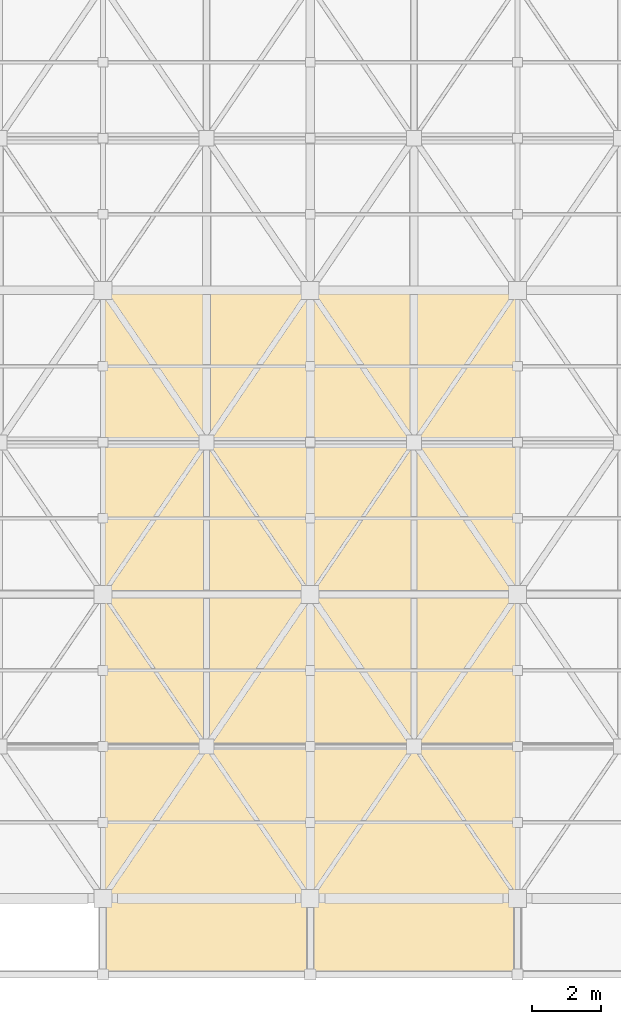
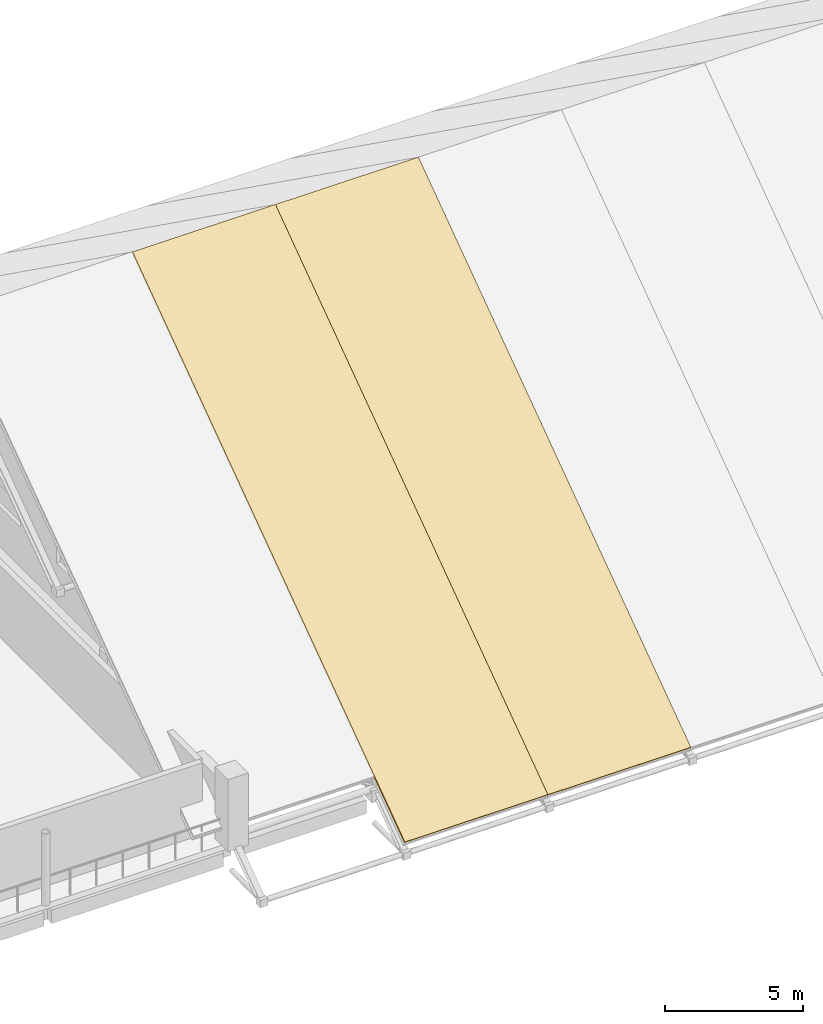
# One storey, part 53 of 55: 2 coverings.
"""IFC4 building model written with IfcOpenShell, lengths in metres."""

from ifc_helpers import new_model, si_unit, direction, frame, origin, place, context, subcontext, project, spatial, polyline, outline, extrude, material, layer, layer_set, type_object, element, save


model = new_model("IFC4")

# Units and contexts
model_context = context("Model", 3, precision=1e-05, world=origin(), true_north=direction((0.0, 1.0)))
body_context = subcontext(model_context, "Body", "Model", "MODEL_VIEW")
ifc_project = project(units=[si_unit("LENGTHUNIT", "METRE"), si_unit("AREAUNIT", "SQUARE_METRE"), si_unit("VOLUMEUNIT", "CUBIC_METRE"), si_unit("PLANEANGLEUNIT", "RADIAN"), si_unit("MASSUNIT", "GRAM", prefix="KILO")], contexts=[model_context])

# Site, building, storey
site_placement = place(None, origin())
site = spatial("IfcSite", under=ifc_project, at=site_placement, CompositionType="ELEMENT")
building_placement = place(site_placement, origin())
building = spatial("IfcBuilding", under=site, at=building_placement, Name="Varnakota Cinema and Media Centre", CompositionType="ELEMENT")
storey_placement = place(building_placement, frame((0.0, 0.0, 15.60009765625)))
storey = spatial("IfcBuildingStorey", under=building, at=storey_placement, Name="L04", CompositionType="ELEMENT", Elevation=15.60009765625)

# Coverings
ifc_material = material(Name="Pale Tandur limestone cool roof", Category="masonry")
ifc_layer = layer(ifc_material, 0.080078125)
ifc_layer_set = layer_set([ifc_layer], Name="Pale Tandur limestone cool roof")
covering_type = type_object("IfcCoveringType", Name="COV-COOLROOF-80", PredefinedType="ROOFING", material=ifc_layer_set)
for number, where, z_axis, x_axis, name in (
    (1, (81.0, -2.199951171875, -0.76513671875), (0.0, -0.582112276941, 0.813108416531), (1.0, 0.0, 0.0), "V1 cool-roof acoustic standing-seam panel S-2"),
    (2, (87.0, -2.199951171875, -0.76513671875), (0.0, -0.582112276941, 0.813108416531), (1.0, 0.0, 0.0), "V1 cool-roof acoustic standing-seam panel S-3"),
):
    element("IfcCovering", number, at=place(storey_placement, frame(where, z_axis=z_axis, x_axis=x_axis)), inside=storey, type_object=covering_type, Name=name, PredefinedType="ROOFING", context=body_context, shape_type="SweptSolid", body=[
        extrude(outline(polyline([(0.0, 0.0), (6.0, 0.0), (6.0, 24.351056298975248), (0.0, 24.351056298975248), (0.0, 0.0)])), origin(), (0.0, 0.0, -1.0), 0.080078125),
    ])

save(model, "model.ifc")
